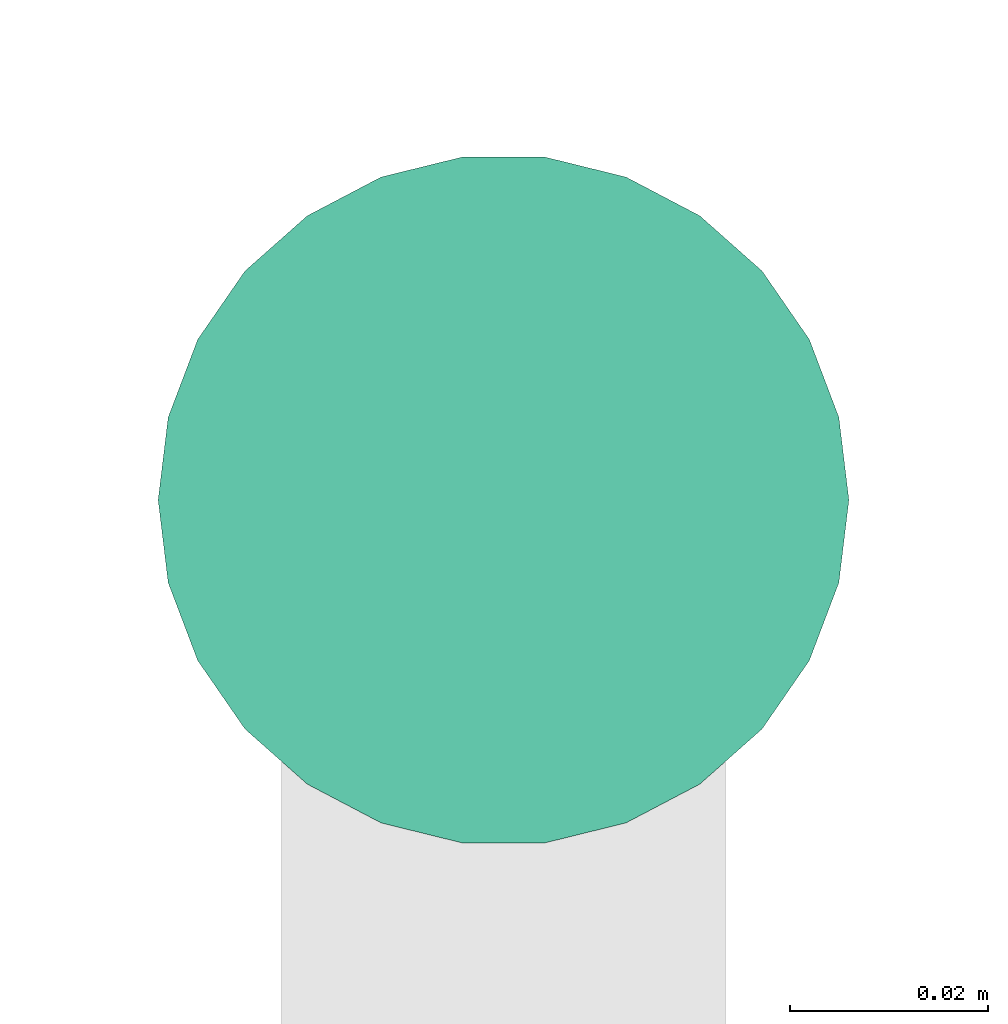
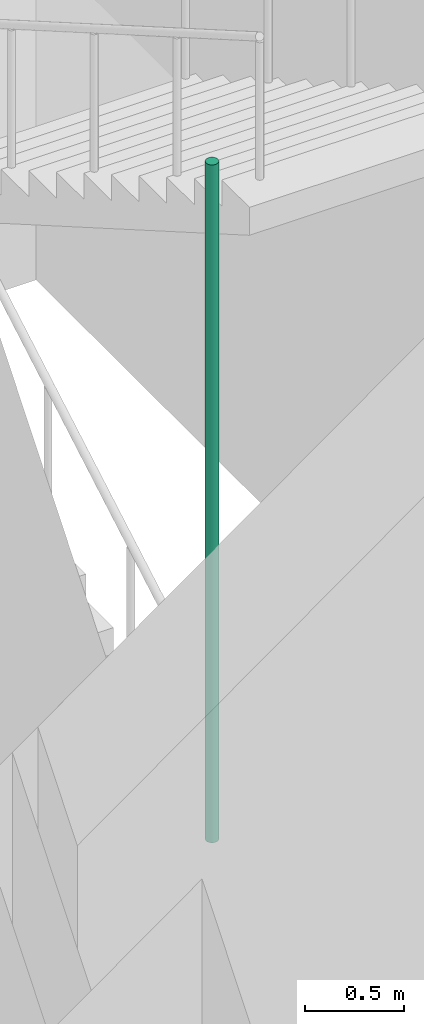
# One storey, part 32 of 36: 1 pipe segment.
"""IFC4 building model written with IfcOpenShell, lengths in metres."""

from ifc_helpers import new_model, si_unit, direction, frame, origin, origin_2d, place, context, subcontext, project, spatial, circle, extrude, element, save


model = new_model("IFC4")

# Units and contexts
model_context = context("Model", 3, precision=1e-05, world=origin(), true_north=direction((0.0, 1.0)))
body_context = subcontext(model_context, "Body", "Model", "MODEL_VIEW")
ifc_project = project(units=[si_unit("LENGTHUNIT", "METRE"), si_unit("AREAUNIT", "SQUARE_METRE"), si_unit("VOLUMEUNIT", "CUBIC_METRE"), si_unit("PLANEANGLEUNIT", "RADIAN"), si_unit("MASSUNIT", "GRAM", prefix="KILO")], contexts=[model_context])

# Site, building, storey
site_placement = place(None, origin())
site = spatial("IfcSite", under=ifc_project, at=site_placement, CompositionType="ELEMENT")
building_placement = place(site_placement, origin())
building = spatial("IfcBuilding", under=site, at=building_placement, Name="Nzadi Deep Aquarium and Research Tower", CompositionType="ELEMENT")
storey_placement = place(building_placement, frame((0.0, 0.0, 44.5)))
storey = spatial("IfcBuildingStorey", under=building, at=storey_placement, Name="L08", CompositionType="ELEMENT", Elevation=44.5)

# Pipe segment
pipe_segment_placement = place(storey_placement, frame((2.300048828125, 12.320068359375, 0.0), z_axis=(0.0, 0.0, 1.0), x_axis=(1.0, 0.0, 0.0)))
element("IfcPipeSegment", 1, at=pipe_segment_placement, inside=storey, Name="Dry riser ST-Z1-SW L08", PredefinedType="RIGIDSEGMENT", context=body_context, shape_type="SweptSolid", body=[
    extrude(circle(Radius=0.034912109375, at=origin_2d()), origin(), (0.0, 0.0, 1.0), 4.199951171875),
])

save(model, "model.ifc")
